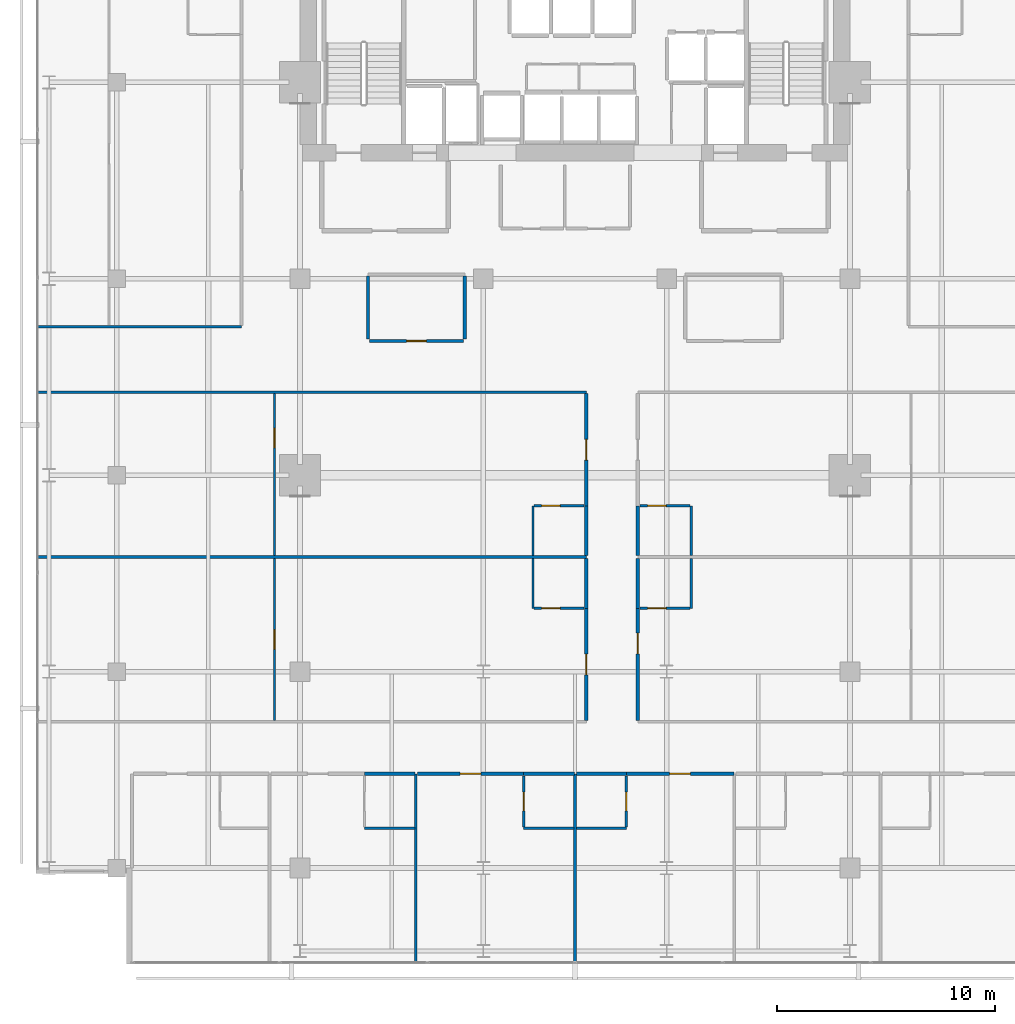
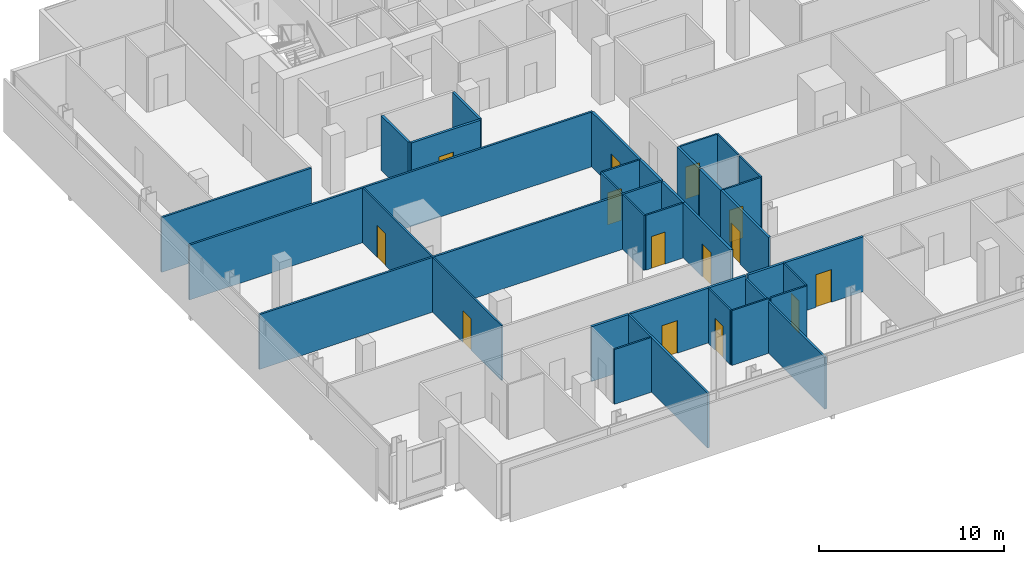
# One storey, part 27 of 33: 35 walls, 14 doors, 14 openings.
"""IFC4 building model written with IfcOpenShell, lengths in metres."""

from ifc_helpers import new_model, si_unit, direction, frame, frame_2d, origin, place, context, subcontext, project, spatial, rectangle, extrude, material, layer, layer_set, type_object, element, fill, save


model = new_model("IFC4")

# Units and contexts
model_context = context("Model", 3, precision=1e-05, world=origin(), true_north=direction((0.0, 1.0)))
body_context = subcontext(model_context, "Body", "Model", "MODEL_VIEW")
ifc_project = project(units=[si_unit("LENGTHUNIT", "METRE"), si_unit("AREAUNIT", "SQUARE_METRE"), si_unit("VOLUMEUNIT", "CUBIC_METRE"), si_unit("PLANEANGLEUNIT", "RADIAN"), si_unit("MASSUNIT", "GRAM", prefix="KILO")], contexts=[model_context])

# Site, building, storey
site_placement = place(None, origin())
site = spatial("IfcSite", under=ifc_project, at=site_placement, CompositionType="ELEMENT")
building_placement = place(site_placement, origin())
building = spatial("IfcBuilding", under=site, at=building_placement, Name="Maruvema Waterfront Hotel and Observation Tower", CompositionType="ELEMENT")
storey_placement = place(building_placement, frame((0.0, 0.0, 204.39990234375)))
storey = spatial("IfcBuildingStorey", under=building, at=storey_placement, Name="L50", CompositionType="ELEMENT", Elevation=204.39990234375)

# Walls
ifc_material_1 = material(Name="Twin-stud acoustic gypsum drywall", Category="gypsum")
ifc_layer_1 = layer(ifc_material_1, 0.14990234375, Name="Acoustic Corridor and Suite Demising Wall 150 mm")
ifc_layer_set_1 = layer_set([ifc_layer_1], Name="Twin-stud acoustic gypsum drywall")
wall_type_1 = type_object("IfcWallType", Name="Acoustic Corridor and Suite Demising Wall 150 mm", PredefinedType="PARTITIONING", material=ifc_layer_set_1)
for number, where, z_axis, x_axis, name in (
    (1, (28.320068359375, 33.22998046875, 0.0), (0.0, 0.0, 1.0), (0.0, 1.0, 0.0), "L50 L50-M1 West Wall 028"),
    (2, (32.75, 33.22998046875, 0.0), (0.0, 0.0, 1.0), (0.0, 1.0, 0.0), "L50 L50-M1 East Wall 029"),
):
    element("IfcWall", number, at=place(storey_placement, frame(where, z_axis=z_axis, x_axis=x_axis)), inside=storey, type_object=wall_type_1, Name=name, PredefinedType="PARTITIONING", context=body_context, shape_type="SweptSolid", body=[
        extrude(rectangle(XDim=2.89013671875, YDim=0.14990234375, at=frame_2d((1.445068359375, 0.0))), origin(), (0.0, 0.0, 1.0), 3.610107421875),
    ])

# Wall, opening, door
wall_1_placement = place(storey_placement, frame((28.3798828125, 33.14990234375, 0.0), z_axis=(0.0, 0.0, 1.0), x_axis=(1.0, 0.0, 0.0)))
wall_1 = element("IfcWall", 3, at=wall_1_placement, inside=storey, type_object=wall_type_1, Name="L50 L50-M1 Front 1 030", PredefinedType="PARTITIONING", context=body_context, shape_type="SweptSolid", body=[
    extrude(rectangle(XDim=4.31005859375, YDim=0.14990234375, at=frame_2d((2.155029296875, 0.0))), origin(), (0.0, 0.0, 1.0), 3.610107421875),
])
opening_1_placement = place(wall_1_placement, frame((1.705078125, 0.0, 0.0)))
opening_1 = element("IfcOpeningElement", 4, at=opening_1_placement, cuts=wall_1, Name="Opening DR-090", PredefinedType="OPENING", context=body_context, shape_type="SweptSolid", body=[
    extrude(rectangle(XDim=0.89990234375, YDim=2.10009765625, at=frame_2d((0.449951171875, 1.050048828125))), frame((0.0, 0.0849609375, 0.0), z_axis=(0.0, -1.0, 0.0), x_axis=(1.0, 0.0, 0.0)), (0.0, 0.0, 1.0), 0.169921875),
])
ifc_material_2 = material(Name="Solid-core lacquered timber leaf", Category="wood")
door_type_1 = type_object("IfcDoorType", Name="Accessible Toilet and Room Door 900x2100 mm", OperationType="NOTDEFINED", PredefinedType="DOOR", material=ifc_material_2)
door_1_placement = place(opening_1_placement, frame((0.89990234375, 0.0, 0.0), z_axis=(0.0, 0.0, 1.0), x_axis=(-1.0, 0.0, 0.0)))
door_1 = element("IfcDoor", 5, at=door_1_placement, inside=storey, type_object=door_type_1, Name="L50 Executive Office 1 Door", OperationType="SINGLE_SWING_RIGHT", OverallHeight=2.10009765625, OverallWidth=0.89990234375, PredefinedType="DOOR", context=body_context, shape_type="SweptSolid", body=[
    extrude(rectangle(XDim=0.89990234375, YDim=2.10009765625, at=frame_2d((0.449951171875, 1.050048828125))), frame((0.0, 0.02490234375, 0.0), z_axis=(0.0, -1.0, 0.0), x_axis=(1.0, 0.0, 0.0)), (0.0, 0.0, 1.0), 0.050048828125),
])
fill(opening_1, door_1)

# Walls
for number, where, z_axis, x_axis, name in (
    (6, (28.14990234375, 13.320068359375, 0.0), (0.0, 0.0, 1.0), (1.0, 0.0, 0.0), "L50 Bath L50-S2 Back Wall 042"),
    (7, (35.449951171875, 13.320068359375, 0.0), (0.0, 0.0, 1.0), (1.0, 0.0, 0.0), "L50 Bath L50-S3 Back Wall 047"),
):
    element("IfcWall", number, at=place(storey_placement, frame(where, z_axis=z_axis, x_axis=x_axis)), inside=storey, type_object=wall_type_1, Name=name, PredefinedType="PARTITIONING", context=body_context, shape_type="SweptSolid", body=[
        extrude(rectangle(XDim=2.330078125, YDim=0.14990234375, at=frame_2d((1.1650390625, 0.0))), origin(), (0.0, 0.0, 1.0), 3.610107421875),
    ])

# Wall, opening, door
wall_2_placement = place(storey_placement, frame((30.580078125, 13.320068359375, 0.0), z_axis=(0.0, 0.0, 1.0), x_axis=(1.0, 0.0, 0.0)))
wall_2 = element("IfcWall", 8, at=wall_2_placement, inside=storey, type_object=wall_type_1, Name="L50 Unit L50-S3 Corridor Wall 050", PredefinedType="PARTITIONING", context=body_context, shape_type="SweptSolid", body=[
    extrude(rectangle(XDim=4.869873046875, YDim=0.14990234375, at=frame_2d((2.43505859375, 0.0))), origin(), (0.0, 0.0, 1.0), 3.610107421875),
])
opening_2_placement = place(wall_2_placement, frame((1.9599609375, 0.0, 0.0)))
opening_2 = element("IfcOpeningElement", 9, at=opening_2_placement, cuts=wall_2, Name="Opening DR-095", PredefinedType="OPENING", context=body_context, shape_type="SweptSolid", body=[
    extrude(rectangle(XDim=0.949951171875, YDim=2.14990234375, at=frame_2d((0.47509765625, 1.074951171875))), frame((0.0, 0.0849609375, 0.0), z_axis=(0.0, -1.0, 0.0), x_axis=(1.0, 0.0, 0.0)), (0.0, 0.0, 1.0), 0.169921875),
])
ifc_material_3 = material(Name="Acoustic solid-core hardwood timber leaf", Category="wood")
door_type_2 = type_object("IfcDoorType", Name="Guestroom Entrance Fire Door 950x2150 mm", OperationType="NOTDEFINED", PredefinedType="DOOR", material=ifc_material_3)
door_2_placement = place(opening_2_placement, frame((0.949951171875, 0.0, 0.0), z_axis=(0.0, 0.0, 1.0), x_axis=(-1.0, 0.0, 0.0)))
door_2 = element("IfcDoor", 10, at=door_2_placement, inside=storey, type_object=door_type_2, Name="L50 Unit L50-S3 Entrance Door", OperationType="SINGLE_SWING_LEFT", OverallHeight=2.14990234375, OverallWidth=0.949951171875, PredefinedType="DOOR", context=body_context, shape_type="SweptSolid", body=[
    extrude(rectangle(XDim=0.949951171875, YDim=2.14990234375, at=frame_2d((0.47509765625, 1.074951171875))), frame((0.0, 0.02490234375, 0.0), z_axis=(0.0, -1.0, 0.0), x_axis=(1.0, 0.0, 0.0)), (0.0, 0.0, 1.0), 0.050048828125),
])
fill(opening_2, door_2)

# Wall
wall_3_placement = place(storey_placement, frame((37.8798828125, 13.320068359375, 0.0), z_axis=(0.0, 0.0, 1.0), x_axis=(1.0, 0.0, 0.0)))
element("IfcWall", 11, at=wall_3_placement, inside=storey, type_object=wall_type_1, Name="L50 Bath L50-S4 Back Wall 052", PredefinedType="PARTITIONING", context=body_context, shape_type="SweptSolid", body=[
    extrude(rectangle(XDim=2.27001953125, YDim=0.14990234375, at=frame_2d((1.135009765625, 0.0))), origin(), (0.0, 0.0, 1.0), 3.610107421875),
])

# Wall, opening, door
wall_4_placement = place(storey_placement, frame((40.14990234375, 13.320068359375, 0.0), z_axis=(0.0, 0.0, 1.0), x_axis=(1.0, 0.0, 0.0)))
wall_4 = element("IfcWall", 12, at=wall_4_placement, inside=storey, type_object=wall_type_1, Name="L50 Unit L50-S4 Corridor Wall 055", PredefinedType="PARTITIONING", context=body_context, shape_type="SweptSolid", body=[
    extrude(rectangle(XDim=4.93017578125, YDim=0.14990234375, at=frame_2d((2.465087890625, 0.0))), origin(), (0.0, 0.0, 1.0), 3.610107421875),
])
opening_3_placement = place(wall_4_placement, frame((1.989990234375, 0.0, 0.0)))
opening_3 = element("IfcOpeningElement", 13, at=opening_3_placement, cuts=wall_4, Name="Opening DR-095", PredefinedType="OPENING", context=body_context, shape_type="SweptSolid", body=[
    extrude(rectangle(XDim=0.949951171875, YDim=2.14990234375, at=frame_2d((0.47509765625, 1.074951171875))), frame((0.0, 0.0849609375, 0.0), z_axis=(0.0, -1.0, 0.0), x_axis=(1.0, 0.0, 0.0)), (0.0, 0.0, 1.0), 0.169921875),
])
door_3_placement = place(opening_3_placement, frame((0.949951171875, 0.0, 0.0), z_axis=(0.0, 0.0, 1.0), x_axis=(-1.0, 0.0, 0.0)))
door_3 = element("IfcDoor", 14, at=door_3_placement, inside=storey, type_object=door_type_2, Name="L50 Unit L50-S4 Entrance Door", OperationType="SINGLE_SWING_LEFT", OverallHeight=2.14990234375, OverallWidth=0.949951171875, PredefinedType="DOOR", context=body_context, shape_type="SweptSolid", body=[
    extrude(rectangle(XDim=0.949951171875, YDim=2.14990234375, at=frame_2d((0.47509765625, 1.074951171875))), frame((0.0, 0.02490234375, 0.0), z_axis=(0.0, -1.0, 0.0), x_axis=(1.0, 0.0, 0.0)), (0.0, 0.0, 1.0), 0.050048828125),
])
fill(opening_3, door_3)

wall_5_placement = place(storey_placement, frame((38.320068359375, 15.760009765625, 0.0), z_axis=(0.0, 0.0, 1.0), x_axis=(0.0, 1.0, 0.0)))
wall_5 = element("IfcWall", 15, at=wall_5_placement, inside=storey, type_object=wall_type_1, Name="L50 Room L50-W1 Corridor Wall 070", PredefinedType="PARTITIONING", context=body_context, shape_type="SweptSolid", body=[
    extrude(rectangle(XDim=5.139892578125, YDim=0.14990234375, at=frame_2d((2.56982421875, 0.0))), origin(), (0.0, 0.0, 1.0), 3.610107421875),
])
opening_4_placement = place(wall_5_placement, frame((2.094970703125, 0.0, 0.0)))
opening_4 = element("IfcOpeningElement", 16, at=opening_4_placement, cuts=wall_5, Name="Opening DR-095", PredefinedType="OPENING", context=body_context, shape_type="SweptSolid", body=[
    extrude(rectangle(XDim=0.949951171875, YDim=2.14990234375, at=frame_2d((0.47509765625, 1.074951171875))), frame((0.0, 0.0849609375, 0.0), z_axis=(0.0, -1.0, 0.0), x_axis=(1.0, 0.0, 0.0)), (0.0, 0.0, 1.0), 0.169921875),
])
door_4_placement = place(opening_4_placement, origin())
door_4 = element("IfcDoor", 17, at=door_4_placement, inside=storey, type_object=door_type_2, Name="L50 Room L50-W1 Entrance Door", OperationType="SINGLE_SWING_LEFT", OverallHeight=2.14990234375, OverallWidth=0.949951171875, PredefinedType="DOOR", context=body_context, shape_type="SweptSolid", body=[
    extrude(rectangle(XDim=0.949951171875, YDim=2.14990234375, at=frame_2d((0.47509765625, 1.074951171875))), frame((0.0, 0.02490234375, 0.0), z_axis=(0.0, -1.0, 0.0), x_axis=(1.0, 0.0, 0.0)), (0.0, 0.0, 1.0), 0.050048828125),
])
fill(opening_4, door_4)

# Wall
wall_6_placement = place(storey_placement, frame((38.320068359375, 20.89990234375, 0.0), z_axis=(0.0, 0.0, 1.0), x_axis=(0.0, 1.0, 0.0)))
element("IfcWall", 18, at=wall_6_placement, inside=storey, type_object=wall_type_1, Name="L50 Bath L50-W1 Wall 071", PredefinedType="PARTITIONING", context=body_context, shape_type="SweptSolid", body=[
    extrude(rectangle(XDim=2.2900390625, YDim=0.14990234375, at=frame_2d((1.14501953125, 0.0))), origin(), (0.0, 0.0, 1.0), 3.610107421875),
])

# Wall, opening, door
wall_7_placement = place(storey_placement, frame((40.679931640625, 15.760009765625, 0.0), z_axis=(0.0, 0.0, 1.0), x_axis=(0.0, 1.0, 0.0)))
wall_7 = element("IfcWall", 19, at=wall_7_placement, inside=storey, type_object=wall_type_1, Name="L50 Room L50-E1 Corridor Wall 075", PredefinedType="PARTITIONING", context=body_context, shape_type="SweptSolid", body=[
    extrude(rectangle(XDim=5.139892578125, YDim=0.14990234375, at=frame_2d((2.56982421875, 0.0))), origin(), (0.0, 0.0, 1.0), 3.610107421875),
])
opening_5_placement = place(wall_7_placement, frame((3.054931640625, 0.0, 0.0)))
opening_5 = element("IfcOpeningElement", 20, at=opening_5_placement, cuts=wall_7, Name="Opening DR-095", PredefinedType="OPENING", context=body_context, shape_type="SweptSolid", body=[
    extrude(rectangle(XDim=0.949951171875, YDim=2.14990234375, at=frame_2d((0.47509765625, 1.074951171875))), frame((0.0, 0.0849609375, 0.0), z_axis=(0.0, -1.0, 0.0), x_axis=(1.0, 0.0, 0.0)), (0.0, 0.0, 1.0), 0.169921875),
])
door_5_placement = place(opening_5_placement, frame((0.949951171875, 0.0, 0.0), z_axis=(0.0, 0.0, 1.0), x_axis=(-1.0, 0.0, 0.0)))
door_5 = element("IfcDoor", 21, at=door_5_placement, inside=storey, type_object=door_type_2, Name="L50 Room L50-E1 Entrance Door", OperationType="SINGLE_SWING_RIGHT", OverallHeight=2.14990234375, OverallWidth=0.949951171875, PredefinedType="DOOR", context=body_context, shape_type="SweptSolid", body=[
    extrude(rectangle(XDim=0.949951171875, YDim=2.14990234375, at=frame_2d((0.47509765625, 1.074951171875))), frame((0.0, 0.02490234375, 0.0), z_axis=(0.0, -1.0, 0.0), x_axis=(1.0, 0.0, 0.0)), (0.0, 0.0, 1.0), 0.050048828125),
])
fill(opening_5, door_5)

# Walls
for number, where, z_axis, x_axis, name in (
    (22, (40.679931640625, 20.89990234375, 0.0), (0.0, 0.0, 1.0), (0.0, 1.0, 0.0), "L50 Bath L50-E1 Wall 076"),
    (23, (38.320068359375, 23.31005859375, 0.0), (0.0, 0.0, 1.0), (0.0, 1.0, 0.0), "L50 Bath L50-W2 Wall 082"),
):
    element("IfcWall", number, at=place(storey_placement, frame(where, z_axis=z_axis, x_axis=x_axis)), inside=storey, type_object=wall_type_1, Name=name, PredefinedType="PARTITIONING", context=body_context, shape_type="SweptSolid", body=[
        extrude(rectangle(XDim=2.2900390625, YDim=0.14990234375, at=frame_2d((1.14501953125, 0.0))), origin(), (0.0, 0.0, 1.0), 3.610107421875),
    ])

# Wall, opening, door
wall_8_placement = place(storey_placement, frame((38.320068359375, 25.60009765625, 0.0), z_axis=(0.0, 0.0, 1.0), x_axis=(0.0, 1.0, 0.0)))
wall_8 = element("IfcWall", 24, at=wall_8_placement, inside=storey, type_object=wall_type_1, Name="L50 Room L50-W2 Corridor Wall 083", PredefinedType="PARTITIONING", context=body_context, shape_type="SweptSolid", body=[
    extrude(rectangle(XDim=5.139892578125, YDim=0.14990234375, at=frame_2d((2.56982421875, 0.0))), origin(), (0.0, 0.0, 1.0), 3.610107421875),
])
opening_6_placement = place(wall_8_placement, frame((2.094970703125, 0.0, 0.0)))
opening_6 = element("IfcOpeningElement", 25, at=opening_6_placement, cuts=wall_8, Name="Opening DR-095", PredefinedType="OPENING", context=body_context, shape_type="SweptSolid", body=[
    extrude(rectangle(XDim=0.949951171875, YDim=2.14990234375, at=frame_2d((0.47509765625, 1.074951171875))), frame((0.0, 0.0849609375, 0.0), z_axis=(0.0, -1.0, 0.0), x_axis=(1.0, 0.0, 0.0)), (0.0, 0.0, 1.0), 0.169921875),
])
door_6_placement = place(opening_6_placement, origin())
door_6 = element("IfcDoor", 26, at=door_6_placement, inside=storey, type_object=door_type_2, Name="L50 Room L50-W2 Entrance Door", OperationType="SINGLE_SWING_LEFT", OverallHeight=2.14990234375, OverallWidth=0.949951171875, PredefinedType="DOOR", context=body_context, shape_type="SweptSolid", body=[
    extrude(rectangle(XDim=0.949951171875, YDim=2.14990234375, at=frame_2d((0.47509765625, 1.074951171875))), frame((0.0, 0.02490234375, 0.0), z_axis=(0.0, -1.0, 0.0), x_axis=(1.0, 0.0, 0.0)), (0.0, 0.0, 1.0), 0.050048828125),
])
fill(opening_6, door_6)

# Walls
wall_9_placement = place(storey_placement, frame((40.679931640625, 23.31005859375, 0.0), z_axis=(0.0, 0.0, 1.0), x_axis=(0.0, 1.0, 0.0)))
element("IfcWall", 27, at=wall_9_placement, inside=storey, type_object=wall_type_1, Name="L50 Bath L50-E2 Wall 087", PredefinedType="PARTITIONING", context=body_context, shape_type="SweptSolid", body=[
    extrude(rectangle(XDim=2.2900390625, YDim=0.14990234375, at=frame_2d((1.14501953125, 0.0))), origin(), (0.0, 0.0, 1.0), 3.610107421875),
])
ifc_material_4 = material(Name="Moisture-resistant cement-board drywall", Category="gypsum")
ifc_layer_2 = layer(ifc_material_4, 0.10009765625, Name="En-Suite Moisture-Resistant Partition 100 mm")
ifc_layer_set_2 = layer_set([ifc_layer_2], Name="Moisture-resistant cement-board drywall")
wall_type_2 = type_object("IfcWallType", Name="En-Suite Moisture-Resistant Partition 100 mm", PredefinedType="PARTITIONING", material=ifc_layer_set_2)
for number, where, z_axis, x_axis, name in (
    (28, (28.14990234375, 10.820068359375, 0.0), (0.0, 0.0, 1.0), (1.0, 0.0, 0.0), "L50 En-Suite L50-S2 South 043"),
    (29, (35.449951171875, 10.820068359375, 0.0), (0.0, 0.0, 1.0), (1.0, 0.0, 0.0), "L50 En-Suite L50-S3 South 048"),
):
    element("IfcWall", number, at=place(storey_placement, frame(where, z_axis=z_axis, x_axis=x_axis)), inside=storey, type_object=wall_type_2, Name=name, PredefinedType="PARTITIONING", context=body_context, shape_type="SweptSolid", body=[
        extrude(rectangle(XDim=2.31005859375, YDim=0.10009765625, at=frame_2d((1.155029296875, 0.0))), origin(), (0.0, 0.0, 1.0), 3.610107421875),
    ])

# Wall, opening, door
wall_10_placement = place(storey_placement, frame((35.449951171875, 10.8798828125, 0.0), z_axis=(0.0, 0.0, 1.0), x_axis=(0.0, 1.0, 0.0)))
wall_10 = element("IfcWall", 30, at=wall_10_placement, inside=storey, type_object=wall_type_2, Name="L50 En-Suite L50-S3 West 049", PredefinedType="PARTITIONING", context=body_context, shape_type="SweptSolid", body=[
    extrude(rectangle(XDim=2.340087890625, YDim=0.10009765625, at=frame_2d((1.169921875, 0.0))), origin(), (0.0, 0.0, 1.0), 3.610107421875),
])
opening_7_placement = place(wall_10_placement, frame((0.7451171875, 0.0, 0.0)))
opening_7 = element("IfcOpeningElement", 31, at=opening_7_placement, cuts=wall_10, Name="Opening DR-085", PredefinedType="OPENING", context=body_context, shape_type="SweptSolid", body=[
    extrude(rectangle(XDim=0.85009765625, YDim=2.10009765625, at=frame_2d((0.425048828125, 1.050048828125))), frame((0.0, 0.06005859375, 0.0), z_axis=(0.0, -1.0, 0.0), x_axis=(1.0, 0.0, 0.0)), (0.0, 0.0, 1.0), 0.1201171875),
])
ifc_material_5 = material(Name="Moisture-resistant solid timber leaf", Category="wood")
door_type_3 = type_object("IfcDoorType", Name="En-Suite Bathroom Door 850x2100 mm", OperationType="NOTDEFINED", PredefinedType="DOOR", material=ifc_material_5)
door_7_placement = place(opening_7_placement, origin())
door_7 = element("IfcDoor", 32, at=door_7_placement, inside=storey, type_object=door_type_3, Name="L50 En-Suite L50-S3 Door", OperationType="SINGLE_SWING_RIGHT", OverallHeight=2.10009765625, OverallWidth=0.85009765625, PredefinedType="DOOR", context=body_context, shape_type="SweptSolid", body=[
    extrude(rectangle(XDim=0.85009765625, YDim=2.10009765625, at=frame_2d((0.425048828125, 1.050048828125))), frame((0.0, 0.02490234375, 0.0), z_axis=(0.0, -1.0, 0.0), x_axis=(1.0, 0.0, 0.0)), (0.0, 0.0, 1.0), 0.050048828125),
])
fill(opening_7, door_7)

# Wall
wall_11_placement = place(storey_placement, frame((37.8798828125, 10.820068359375, 0.0), z_axis=(0.0, 0.0, 1.0), x_axis=(1.0, 0.0, 0.0)))
element("IfcWall", 33, at=wall_11_placement, inside=storey, type_object=wall_type_2, Name="L50 En-Suite L50-S4 South 053", PredefinedType="PARTITIONING", context=body_context, shape_type="SweptSolid", body=[
    extrude(rectangle(XDim=2.27001953125, YDim=0.10009765625, at=frame_2d((1.135009765625, 0.0))), origin(), (0.0, 0.0, 1.0), 3.610107421875),
])

# Wall, opening, door
wall_12_placement = place(storey_placement, frame((40.14990234375, 10.8798828125, 0.0), z_axis=(0.0, 0.0, 1.0), x_axis=(0.0, 1.0, 0.0)))
wall_12 = element("IfcWall", 34, at=wall_12_placement, inside=storey, type_object=wall_type_2, Name="L50 En-Suite L50-S4 East 054", PredefinedType="PARTITIONING", context=body_context, shape_type="SweptSolid", body=[
    extrude(rectangle(XDim=2.340087890625, YDim=0.10009765625, at=frame_2d((1.169921875, 0.0))), origin(), (0.0, 0.0, 1.0), 3.610107421875),
])
opening_8_placement = place(wall_12_placement, frame((0.7451171875, 0.0, 0.0)))
opening_8 = element("IfcOpeningElement", 35, at=opening_8_placement, cuts=wall_12, Name="Opening DR-085", PredefinedType="OPENING", context=body_context, shape_type="SweptSolid", body=[
    extrude(rectangle(XDim=0.85009765625, YDim=2.10009765625, at=frame_2d((0.425048828125, 1.050048828125))), frame((0.0, 0.06005859375, 0.0), z_axis=(0.0, -1.0, 0.0), x_axis=(1.0, 0.0, 0.0)), (0.0, 0.0, 1.0), 0.1201171875),
])
door_8_placement = place(opening_8_placement, frame((0.85009765625, 0.0, 0.0), z_axis=(0.0, 0.0, 1.0), x_axis=(-1.0, 0.0, 0.0)))
door_8 = element("IfcDoor", 36, at=door_8_placement, inside=storey, type_object=door_type_3, Name="L50 En-Suite L50-S4 Door", OperationType="SINGLE_SWING_RIGHT", OverallHeight=2.10009765625, OverallWidth=0.85009765625, PredefinedType="DOOR", context=body_context, shape_type="SweptSolid", body=[
    extrude(rectangle(XDim=0.85009765625, YDim=2.10009765625, at=frame_2d((0.425048828125, 1.050048828125))), frame((0.0, 0.02490234375, 0.0), z_axis=(0.0, -1.0, 0.0), x_axis=(1.0, 0.0, 0.0)), (0.0, 0.0, 1.0), 0.050048828125),
])
fill(opening_8, door_8)

# Wall
wall_13_placement = place(storey_placement, frame((35.8701171875, 20.89990234375, 0.0), z_axis=(0.0, 0.0, 1.0), x_axis=(0.0, 1.0, 0.0)))
element("IfcWall", 37, at=wall_13_placement, inside=storey, type_object=wall_type_2, Name="L50 En-Suite L50-W1 W 072", PredefinedType="PARTITIONING", context=body_context, shape_type="SweptSolid", body=[
    extrude(rectangle(XDim=2.2900390625, YDim=0.10009765625, at=frame_2d((1.14501953125, 0.0))), origin(), (0.0, 0.0, 1.0), 3.610107421875),
])

# Wall, opening, door
wall_14_placement = place(storey_placement, frame((35.919921875, 20.89990234375, 0.0), z_axis=(0.0, 0.0, 1.0), x_axis=(1.0, 0.0, 0.0)))
wall_14 = element("IfcWall", 38, at=wall_14_placement, inside=storey, type_object=wall_type_2, Name="L50 En-Suite L50-W1 S 073", PredefinedType="PARTITIONING", context=body_context, shape_type="SweptSolid", body=[
    extrude(rectangle(XDim=2.300048828125, YDim=0.10009765625, at=frame_2d((1.14990234375, 0.0))), origin(), (0.0, 0.0, 1.0), 3.610107421875),
])
opening_9_placement = place(wall_14_placement, frame((0.35009765625, 0.0, 0.0)))
opening_9 = element("IfcOpeningElement", 39, at=opening_9_placement, cuts=wall_14, Name="Opening DR-085", PredefinedType="OPENING", context=body_context, shape_type="SweptSolid", body=[
    extrude(rectangle(XDim=0.85009765625, YDim=2.10009765625, at=frame_2d((0.425048828125, 1.050048828125))), frame((0.0, 0.06005859375, 0.0), z_axis=(0.0, -1.0, 0.0), x_axis=(1.0, 0.0, 0.0)), (0.0, 0.0, 1.0), 0.1201171875),
])
door_9_placement = place(opening_9_placement, frame((0.85009765625, 0.0, 0.0), z_axis=(0.0, 0.0, 1.0), x_axis=(-1.0, 0.0, 0.0)))
door_9 = element("IfcDoor", 40, at=door_9_placement, inside=storey, type_object=door_type_3, Name="L50 En-Suite L50-W1 Door", OperationType="SINGLE_SWING_RIGHT", OverallHeight=2.10009765625, OverallWidth=0.85009765625, PredefinedType="DOOR", context=body_context, shape_type="SweptSolid", body=[
    extrude(rectangle(XDim=0.85009765625, YDim=2.10009765625, at=frame_2d((0.425048828125, 1.050048828125))), frame((0.0, 0.02490234375, 0.0), z_axis=(0.0, -1.0, 0.0), x_axis=(1.0, 0.0, 0.0)), (0.0, 0.0, 1.0), 0.050048828125),
])
fill(opening_9, door_9)

wall_15_placement = place(storey_placement, frame((24.029541015625, 15.760009765625, 0.0), z_axis=(0.0, 0.0, 1.0), x_axis=(0.0, 1.0, 0.0)))
wall_15 = element("IfcWall", 41, at=wall_15_placement, inside=storey, type_object=wall_type_2, Name="L50 Suite L50-W1 Split 074", PredefinedType="PARTITIONING", context=body_context, shape_type="SweptSolid", body=[
    extrude(rectangle(XDim=7.429931640625, YDim=0.10009765625, at=frame_2d((3.71484375, 0.0))), origin(), (0.0, 0.0, 1.0), 3.610107421875),
])
opening_10_placement = place(wall_15_placement, frame((3.264892578125, 0.0, 0.0)))
opening_10 = element("IfcOpeningElement", 42, at=opening_10_placement, cuts=wall_15, Name="Opening DR-090", PredefinedType="OPENING", context=body_context, shape_type="SweptSolid", body=[
    extrude(rectangle(XDim=0.89990234375, YDim=2.10009765625, at=frame_2d((0.449951171875, 1.050048828125))), frame((0.0, 0.06005859375, 0.0), z_axis=(0.0, -1.0, 0.0), x_axis=(1.0, 0.0, 0.0)), (0.0, 0.0, 1.0), 0.1201171875),
])
door_10_placement = place(opening_10_placement, origin())
door_10 = element("IfcDoor", 43, at=door_10_placement, inside=storey, type_object=door_type_1, Name="L50 Suite L50-W1 Bedroom Door", OperationType="SINGLE_SWING_RIGHT", OverallHeight=2.10009765625, OverallWidth=0.89990234375, PredefinedType="DOOR", context=body_context, shape_type="SweptSolid", body=[
    extrude(rectangle(XDim=0.89990234375, YDim=2.10009765625, at=frame_2d((0.449951171875, 1.050048828125))), frame((0.0, 0.02490234375, 0.0), z_axis=(0.0, -1.0, 0.0), x_axis=(1.0, 0.0, 0.0)), (0.0, 0.0, 1.0), 0.050048828125),
])
fill(opening_10, door_10)

# Wall
wall_16_placement = place(storey_placement, frame((43.1298828125, 20.89990234375, 0.0), z_axis=(0.0, 0.0, 1.0), x_axis=(0.0, 1.0, 0.0)))
element("IfcWall", 44, at=wall_16_placement, inside=storey, type_object=wall_type_2, Name="L50 En-Suite L50-E1 E 077", PredefinedType="PARTITIONING", context=body_context, shape_type="SweptSolid", body=[
    extrude(rectangle(XDim=2.2900390625, YDim=0.10009765625, at=frame_2d((1.14501953125, 0.0))), origin(), (0.0, 0.0, 1.0), 3.610107421875),
])

# Wall, opening, door
wall_17_placement = place(storey_placement, frame((40.780029296875, 20.89990234375, 0.0), z_axis=(0.0, 0.0, 1.0), x_axis=(1.0, 0.0, 0.0)))
wall_17 = element("IfcWall", 45, at=wall_17_placement, inside=storey, type_object=wall_type_2, Name="L50 En-Suite L50-E1 S 078", PredefinedType="PARTITIONING", context=body_context, shape_type="SweptSolid", body=[
    extrude(rectangle(XDim=2.300048828125, YDim=0.10009765625, at=frame_2d((1.14990234375, 0.0))), origin(), (0.0, 0.0, 1.0), 3.610107421875),
])
opening_11_placement = place(wall_17_placement, frame((0.35009765625, 0.0, 0.0)))
opening_11 = element("IfcOpeningElement", 46, at=opening_11_placement, cuts=wall_17, Name="Opening DR-085", PredefinedType="OPENING", context=body_context, shape_type="SweptSolid", body=[
    extrude(rectangle(XDim=0.85009765625, YDim=2.10009765625, at=frame_2d((0.425048828125, 1.050048828125))), frame((0.0, 0.06005859375, 0.0), z_axis=(0.0, -1.0, 0.0), x_axis=(1.0, 0.0, 0.0)), (0.0, 0.0, 1.0), 0.1201171875),
])
door_11_placement = place(opening_11_placement, frame((0.85009765625, 0.0, 0.0), z_axis=(0.0, 0.0, 1.0), x_axis=(-1.0, 0.0, 0.0)))
door_11 = element("IfcDoor", 47, at=door_11_placement, inside=storey, type_object=door_type_3, Name="L50 En-Suite L50-E1 Door", OperationType="SINGLE_SWING_LEFT", OverallHeight=2.10009765625, OverallWidth=0.85009765625, PredefinedType="DOOR", context=body_context, shape_type="SweptSolid", body=[
    extrude(rectangle(XDim=0.85009765625, YDim=2.10009765625, at=frame_2d((0.425048828125, 1.050048828125))), frame((0.0, 0.02490234375, 0.0), z_axis=(0.0, -1.0, 0.0), x_axis=(1.0, 0.0, 0.0)), (0.0, 0.0, 1.0), 0.050048828125),
])
fill(opening_11, door_11)

# Wall
wall_18_placement = place(storey_placement, frame((35.8701171875, 23.31005859375, 0.0), z_axis=(0.0, 0.0, 1.0), x_axis=(0.0, 1.0, 0.0)))
element("IfcWall", 48, at=wall_18_placement, inside=storey, type_object=wall_type_2, Name="L50 En-Suite L50-W2 W 084", PredefinedType="PARTITIONING", context=body_context, shape_type="SweptSolid", body=[
    extrude(rectangle(XDim=2.2900390625, YDim=0.10009765625, at=frame_2d((1.14501953125, 0.0))), origin(), (0.0, 0.0, 1.0), 3.610107421875),
])

# Wall, opening, door
wall_19_placement = place(storey_placement, frame((35.919921875, 25.60009765625, 0.0), z_axis=(0.0, 0.0, 1.0), x_axis=(1.0, 0.0, 0.0)))
wall_19 = element("IfcWall", 49, at=wall_19_placement, inside=storey, type_object=wall_type_2, Name="L50 En-Suite L50-W2 N 085", PredefinedType="PARTITIONING", context=body_context, shape_type="SweptSolid", body=[
    extrude(rectangle(XDim=2.300048828125, YDim=0.10009765625, at=frame_2d((1.14990234375, 0.0))), origin(), (0.0, 0.0, 1.0), 3.610107421875),
])
opening_12_placement = place(wall_19_placement, frame((0.35009765625, 0.0, 0.0)))
opening_12 = element("IfcOpeningElement", 50, at=opening_12_placement, cuts=wall_19, Name="Opening DR-085", PredefinedType="OPENING", context=body_context, shape_type="SweptSolid", body=[
    extrude(rectangle(XDim=0.85009765625, YDim=2.10009765625, at=frame_2d((0.425048828125, 1.050048828125))), frame((0.0, 0.06005859375, 0.0), z_axis=(0.0, -1.0, 0.0), x_axis=(1.0, 0.0, 0.0)), (0.0, 0.0, 1.0), 0.1201171875),
])
door_12_placement = place(opening_12_placement, origin())
door_12 = element("IfcDoor", 51, at=door_12_placement, inside=storey, type_object=door_type_3, Name="L50 En-Suite L50-W2 Door", OperationType="SINGLE_SWING_RIGHT", OverallHeight=2.10009765625, OverallWidth=0.85009765625, PredefinedType="DOOR", context=body_context, shape_type="SweptSolid", body=[
    extrude(rectangle(XDim=0.85009765625, YDim=2.10009765625, at=frame_2d((0.425048828125, 1.050048828125))), frame((0.0, 0.02490234375, 0.0), z_axis=(0.0, -1.0, 0.0), x_axis=(1.0, 0.0, 0.0)), (0.0, 0.0, 1.0), 0.050048828125),
])
fill(opening_12, door_12)

wall_20_placement = place(storey_placement, frame((24.029541015625, 23.31005859375, 0.0), z_axis=(0.0, 0.0, 1.0), x_axis=(0.0, 1.0, 0.0)))
wall_20 = element("IfcWall", 52, at=wall_20_placement, inside=storey, type_object=wall_type_2, Name="L50 Suite L50-W2 Split 086", PredefinedType="PARTITIONING", context=body_context, shape_type="SweptSolid", body=[
    extrude(rectangle(XDim=7.429931640625, YDim=0.10009765625, at=frame_2d((3.71484375, 0.0))), origin(), (0.0, 0.0, 1.0), 3.610107421875),
])
opening_13_placement = place(wall_20_placement, frame((4.945068359375, 0.0, 0.0)))
opening_13 = element("IfcOpeningElement", 53, at=opening_13_placement, cuts=wall_20, Name="Opening DR-090", PredefinedType="OPENING", context=body_context, shape_type="SweptSolid", body=[
    extrude(rectangle(XDim=0.89990234375, YDim=2.10009765625, at=frame_2d((0.449951171875, 1.050048828125))), frame((0.0, 0.06005859375, 0.0), z_axis=(0.0, -1.0, 0.0), x_axis=(1.0, 0.0, 0.0)), (0.0, 0.0, 1.0), 0.1201171875),
])
door_13_placement = place(opening_13_placement, origin())
door_13 = element("IfcDoor", 54, at=door_13_placement, inside=storey, type_object=door_type_1, Name="L50 Suite L50-W2 Bedroom Door", OperationType="SINGLE_SWING_RIGHT", OverallHeight=2.10009765625, OverallWidth=0.89990234375, PredefinedType="DOOR", context=body_context, shape_type="SweptSolid", body=[
    extrude(rectangle(XDim=0.89990234375, YDim=2.10009765625, at=frame_2d((0.449951171875, 1.050048828125))), frame((0.0, 0.02490234375, 0.0), z_axis=(0.0, -1.0, 0.0), x_axis=(1.0, 0.0, 0.0)), (0.0, 0.0, 1.0), 0.050048828125),
])
fill(opening_13, door_13)

# Wall
wall_21_placement = place(storey_placement, frame((43.1298828125, 23.31005859375, 0.0), z_axis=(0.0, 0.0, 1.0), x_axis=(0.0, 1.0, 0.0)))
element("IfcWall", 55, at=wall_21_placement, inside=storey, type_object=wall_type_2, Name="L50 En-Suite L50-E2 E 089", PredefinedType="PARTITIONING", context=body_context, shape_type="SweptSolid", body=[
    extrude(rectangle(XDim=2.2900390625, YDim=0.10009765625, at=frame_2d((1.14501953125, 0.0))), origin(), (0.0, 0.0, 1.0), 3.610107421875),
])

# Wall, opening, door
wall_22_placement = place(storey_placement, frame((40.780029296875, 25.60009765625, 0.0), z_axis=(0.0, 0.0, 1.0), x_axis=(1.0, 0.0, 0.0)))
wall_22 = element("IfcWall", 56, at=wall_22_placement, inside=storey, type_object=wall_type_2, Name="L50 En-Suite L50-E2 N 090", PredefinedType="PARTITIONING", context=body_context, shape_type="SweptSolid", body=[
    extrude(rectangle(XDim=2.300048828125, YDim=0.10009765625, at=frame_2d((1.14990234375, 0.0))), origin(), (0.0, 0.0, 1.0), 3.610107421875),
])
opening_14_placement = place(wall_22_placement, frame((0.35009765625, 0.0, 0.0)))
opening_14 = element("IfcOpeningElement", 57, at=opening_14_placement, cuts=wall_22, Name="Opening DR-085", PredefinedType="OPENING", context=body_context, shape_type="SweptSolid", body=[
    extrude(rectangle(XDim=0.85009765625, YDim=2.10009765625, at=frame_2d((0.425048828125, 1.050048828125))), frame((0.0, 0.06005859375, 0.0), z_axis=(0.0, -1.0, 0.0), x_axis=(1.0, 0.0, 0.0)), (0.0, 0.0, 1.0), 0.1201171875),
])
door_14_placement = place(opening_14_placement, origin())
door_14 = element("IfcDoor", 58, at=door_14_placement, inside=storey, type_object=door_type_3, Name="L50 En-Suite L50-E2 Door", OperationType="SINGLE_SWING_LEFT", OverallHeight=2.10009765625, OverallWidth=0.85009765625, PredefinedType="DOOR", context=body_context, shape_type="SweptSolid", body=[
    extrude(rectangle(XDim=0.85009765625, YDim=2.10009765625, at=frame_2d((0.425048828125, 1.050048828125))), frame((0.0, 0.02490234375, 0.0), z_axis=(0.0, -1.0, 0.0), x_axis=(1.0, 0.0, 0.0)), (0.0, 0.0, 1.0), 0.050048828125),
])
fill(opening_14, door_14)

# Walls
ifc_material_6 = material(Name="Acoustic gypsum plasterboard drywall", Category="gypsum")
ifc_layer_3 = layer(ifc_material_6, 0.125, Name="Guestroom Acoustic Demising Wall 125 mm")
ifc_layer_set_3 = layer_set([ifc_layer_3], Name="Acoustic gypsum plasterboard drywall")
wall_type_3 = type_object("IfcWallType", Name="Guestroom Acoustic Demising Wall 125 mm", PredefinedType="PARTITIONING", material=ifc_layer_set_3)
wall_23_placement = place(storey_placement, frame((30.5, 4.699951171875, 0.0), z_axis=(0.0, 0.0, 1.0), x_axis=(0.0, 1.0, 0.0)))
element("IfcWall", 59, at=wall_23_placement, inside=storey, type_object=wall_type_3, Name="L50 Z2 S Demising 3 046", PredefinedType="PARTITIONING", context=body_context, shape_type="SweptSolid", body=[
    extrude(rectangle(XDim=8.6201171875, YDim=0.125, at=frame_2d((4.31005859375, 0.0))), origin(), (0.0, 0.0, 1.0), 3.610107421875),
])
wall_24_placement = place(storey_placement, frame((37.800048828125, 4.699951171875, 0.0), z_axis=(0.0, 0.0, 1.0), x_axis=(0.0, 1.0, 0.0)))
element("IfcWall", 60, at=wall_24_placement, inside=storey, type_object=wall_type_3, Name="L50 Z2 S Demising 4 051", PredefinedType="PARTITIONING", context=body_context, shape_type="SweptSolid", body=[
    extrude(rectangle(XDim=8.6201171875, YDim=0.125, at=frame_2d((4.31005859375, 0.0))), origin(), (0.0, 0.0, 1.0), 3.403076171875),
])
for number, where, z_axis, x_axis, name in (
    (61, (13.199951171875, 30.800048828125, 0.0), (0.0, 0.0, 1.0), (1.0, 0.0, 0.0), "L50 Z2 W Top End 068"),
    (62, (13.199951171875, 23.25, 0.0), (0.0, 0.0, 1.0), (1.0, 0.0, 0.0), "L50 Z2 W Demising 2 080"),
):
    element("IfcWall", number, at=place(storey_placement, frame(where, z_axis=z_axis, x_axis=x_axis)), inside=storey, type_object=wall_type_3, Name=name, PredefinedType="PARTITIONING", context=body_context, shape_type="SweptSolid", body=[
        extrude(rectangle(XDim=25.1201171875, YDim=0.125, at=frame_2d((12.56005859375, 0.0))), origin(), (0.0, 0.0, 1.0), 3.610107421875),
    ])
wall_25_placement = place(storey_placement, frame((13.199951171875, 33.800048828125, 0.0), z_axis=(0.0, 0.0, 1.0), x_axis=(1.0, 0.0, 0.0)))
element("IfcWall", 63, at=wall_25_placement, inside=storey, type_object=wall_type_3, Name="L50 Z2 NW Bot End 092", PredefinedType="PARTITIONING", context=body_context, shape_type="SweptSolid", body=[
    extrude(rectangle(XDim=9.320068359375, YDim=0.125, at=frame_2d((4.66015625, 0.0))), origin(), (0.0, 0.0, 1.0), 3.610107421875),
])

save(model, "model.ifc")
